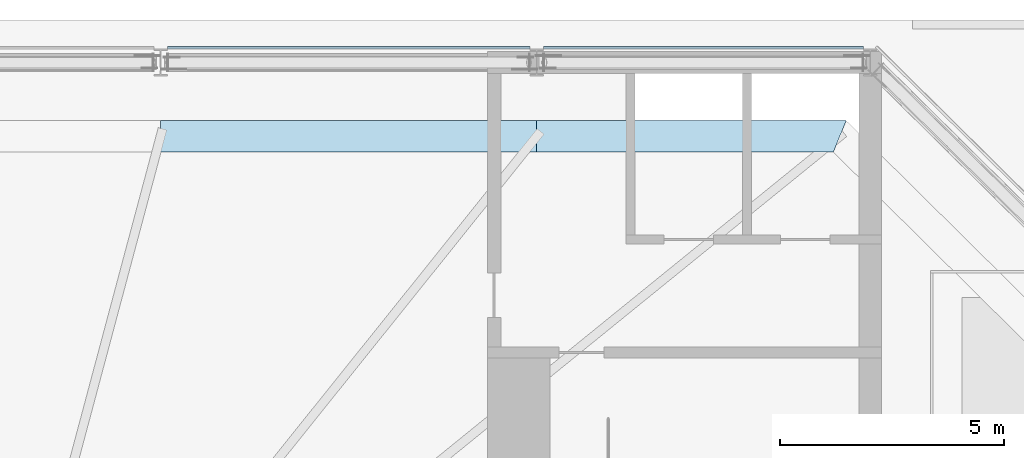
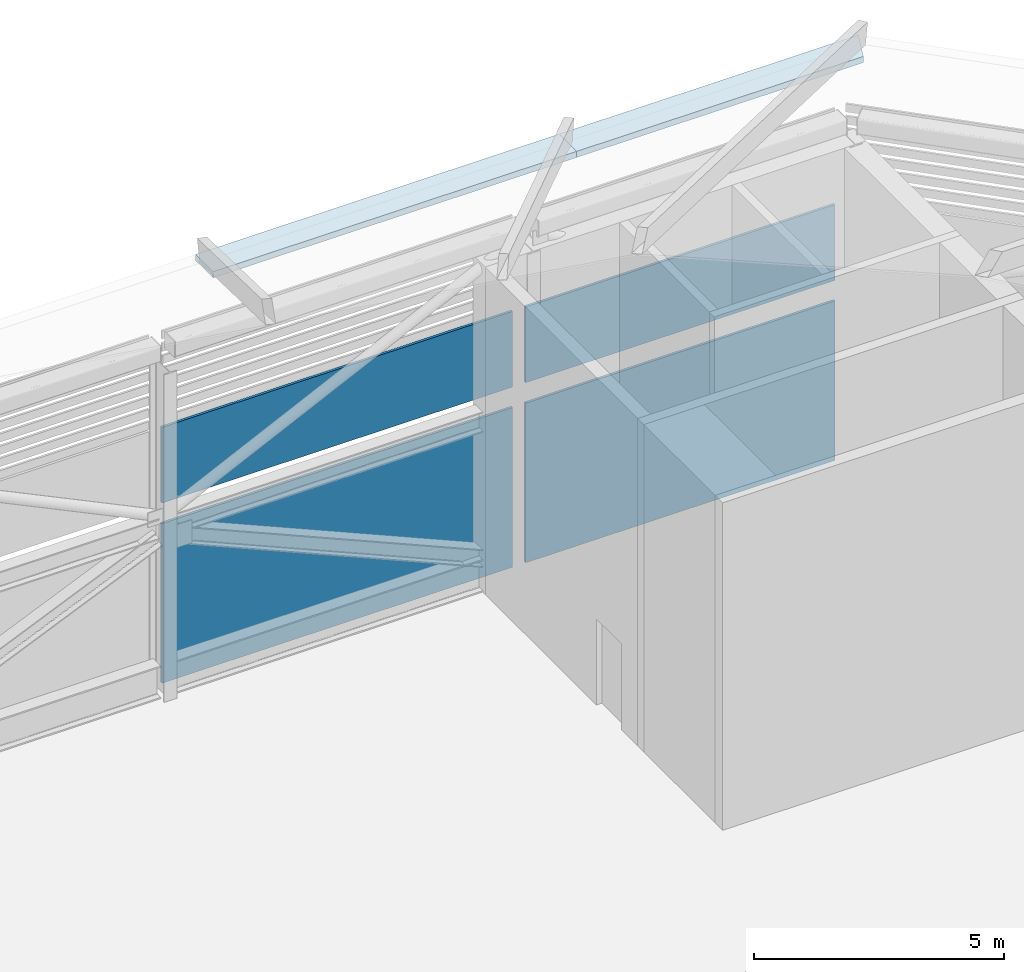
# One storey, part 7 of 22: 6 plates.
"""IFC4 building model written with IfcOpenShell, lengths in metres."""

from ifc_helpers import new_model, si_unit, direction, frame, origin, origin_2d, place, context, subcontext, project, spatial, polyline, rectangle, outline, extrude, material, layer, layer_set, type_object, element, save


model = new_model("IFC4")

# Units and contexts
model_context = context("Model", 3, precision=1e-05, world=origin(), true_north=direction((0.0, 1.0)))
body_context = subcontext(model_context, "Body", "Model", "MODEL_VIEW")
ifc_project = project(units=[si_unit("LENGTHUNIT", "METRE"), si_unit("AREAUNIT", "SQUARE_METRE"), si_unit("VOLUMEUNIT", "CUBIC_METRE"), si_unit("PLANEANGLEUNIT", "RADIAN"), si_unit("MASSUNIT", "GRAM", prefix="KILO")], contexts=[model_context])

# Site, building, storey
site_placement = place(None, origin())
site = spatial("IfcSite", under=ifc_project, at=site_placement, CompositionType="ELEMENT")
building_placement = place(site_placement, origin())
building = spatial("IfcBuilding", under=site, at=building_placement, Name="Saffron Gate Tower", CompositionType="ELEMENT")
storey_placement = place(building_placement, frame((0.0, 0.0, 314.85009765625)))
storey = spatial("IfcBuildingStorey", under=building, at=storey_placement, Name="Roof crown", CompositionType="ELEMENT", Elevation=314.85009765625)

# Plates
ifc_material_1 = material(Name="Bronze-anodised aluminium cap", Category="aluminium")
ifc_layer_1 = layer(ifc_material_1, 0.14990234375)
ifc_layer_set_1 = layer_set([ifc_layer_1], Name="CP1 crown ring cap")
plate_type_1 = type_object("IfcPlateType", Name="CP1 crown ring cap", PredefinedType="SHEET", material=ifc_layer_set_1)
plate_1_placement = place(storey_placement, frame((0.0, 0.0, 11.349853515625)))
element("IfcPlate", 1, at=plate_1_placement, inside=storey, type_object=plate_type_1, Name="CROWN RING CAP", PredefinedType="SHEET", context=body_context, shape_type="SweptSolid", body=[
    extrude(outline(polyline([(106.827880859375, 72.64990234375), (100.199951171875, 72.64990234375), (100.199951171875, 73.35009765625), (107.115478515625, 73.35009765625), (106.827880859375, 72.64990234375)])), origin(), (0.0, 0.0, 1.0), 0.150146484375),
])
plate_2_placement = place(storey_placement, frame((0.0, 0.0, 11.349853515625)))
element("IfcPlate", 2, at=plate_2_placement, inside=storey, type_object=plate_type_1, Name="CROWN RING CAP", PredefinedType="SHEET", context=body_context, shape_type="SweptSolid", body=[
    extrude(outline(polyline([(100.199951171875, 72.64990234375), (91.800048828125, 72.64990234375), (91.800048828125, 73.35009765625), (100.199951171875, 73.35009765625), (100.199951171875, 72.64990234375)])), origin(), (0.0, 0.0, 1.0), 0.150146484375),
])
ifc_material_2 = material(Name="Perforated bronze sheet, geometric pattern")
ifc_layer_2 = layer(ifc_material_2, 0.06005859375)
ifc_layer_set_2 = layer_set([ifc_layer_2], Name="CS1 crown screen")
plate_type_2 = type_object("IfcPlateType", Name="CS1 crown screen", PredefinedType="SHEET", material=ifc_layer_set_2)
plate_3_placement = place(storey_placement, frame((103.925048828125, 74.97998046875, 0.0), z_axis=(0.0, 0.0, 1.0), x_axis=(-1.0, 0.0, 0.0)))
element("IfcPlate", 3, at=plate_3_placement, inside=storey, type_object=plate_type_2, Name="CROWN SCREEN geometric 10", PredefinedType="SHEET", context=body_context, shape_type="SweptSolid", body=[
    extrude(rectangle(XDim=7.14990234375, YDim=0.06005859375, at=origin_2d()), origin(), (0.0, 0.0, 1.0), 3.89990234375),
])
plate_4_placement = place(storey_placement, frame((103.925048828125, 74.97998046875, 4.39990234375), z_axis=(0.0, 0.0, 1.0), x_axis=(-1.0, 0.0, 0.0)))
element("IfcPlate", 4, at=plate_4_placement, inside=storey, type_object=plate_type_2, Name="CROWN SCREEN geometric 10", PredefinedType="SHEET", context=body_context, shape_type="SweptSolid", body=[
    extrude(rectangle(XDim=7.14990234375, YDim=0.06005859375, at=origin_2d()), origin(), (0.0, 0.0, 1.0), 1.85009765625),
])
plate_5_placement = place(storey_placement, frame((96.0, 74.97998046875, 0.0), z_axis=(0.0, 0.0, 1.0), x_axis=(-1.0, 0.0, 0.0)))
element("IfcPlate", 5, at=plate_5_placement, inside=storey, type_object=plate_type_2, Name="CROWN SCREEN geometric 11", PredefinedType="SHEET", context=body_context, shape_type="SweptSolid", body=[
    extrude(rectangle(XDim=8.10009765625, YDim=0.06005859375, at=origin_2d()), origin(), (0.0, 0.0, 1.0), 3.89990234375),
])
plate_6_placement = place(storey_placement, frame((96.0, 74.97998046875, 4.39990234375), z_axis=(0.0, 0.0, 1.0), x_axis=(-1.0, 0.0, 0.0)))
element("IfcPlate", 6, at=plate_6_placement, inside=storey, type_object=plate_type_2, Name="CROWN SCREEN geometric 11", PredefinedType="SHEET", context=body_context, shape_type="SweptSolid", body=[
    extrude(rectangle(XDim=8.10009765625, YDim=0.06005859375, at=origin_2d()), origin(), (0.0, 0.0, 1.0), 1.85009765625),
])

save(model, "model.ifc")
